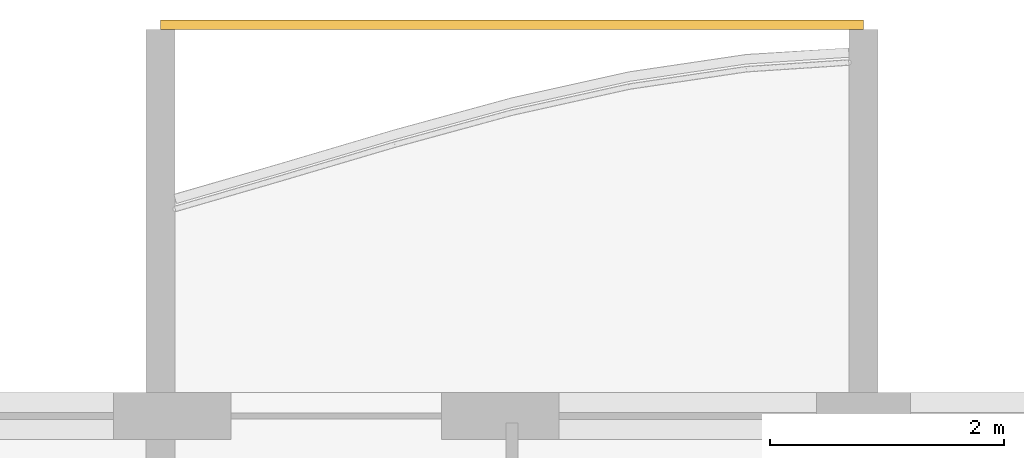
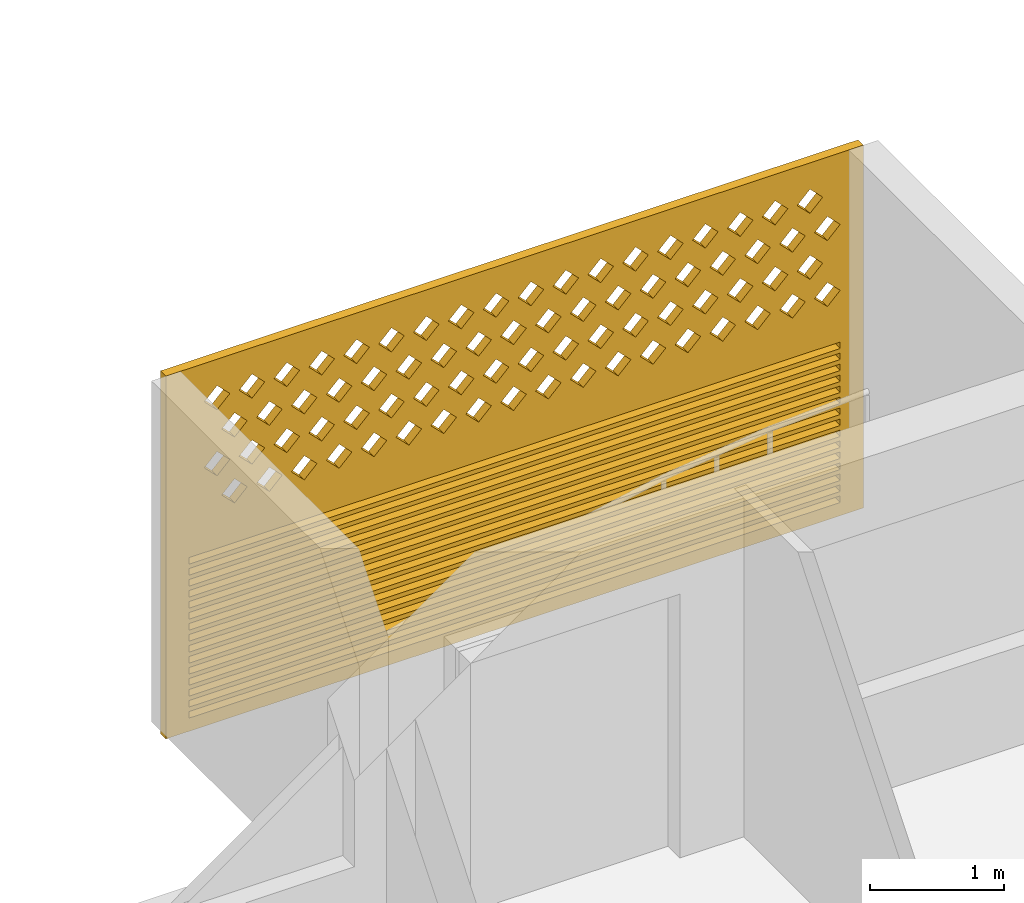
# One storey, part 23 of 27: 1 covering.
"""IFC4 building model written with IfcOpenShell, lengths in metres."""

import ifcopenshell
import ifcopenshell.guid

model = None  # the IFC model being written
_history = None  # IfcOwnerHistory: only IFC2X3 demands one
_inside = {}  # id of a spatial element -> (the spatial element, [elements in it])
_under = {}  # id of a project, library or spatial element -> (it, [spatial elements below it])
_declared = {}  # id of a project -> (the project, [libraries it declares])
_typed = {}  # id of a type object -> (the type object, [elements of that type])
_made_of = {}  # id of a material, layer set ... -> (it, [elements and type objects made of it])


def new_model(schema):
    """Start an empty IFC model of exactly this schema.

    Asked for "IFC4X3", IfcOpenShell would pick the latest addendum, in which some entities
    have other attributes; the version numbers below select the first issue.
    IFC2X3 requires an IfcOwnerHistory on every rooted entity: one is made here for all.
    """
    global model, _history
    if schema == "IFC4X3":
        model = ifcopenshell.file(schema_version=(4, 3, 0, 0))
    else:
        model = ifcopenshell.file(schema=schema)
    _inside.clear()
    _under.clear()
    _declared.clear()
    _typed.clear()
    _made_of.clear()
    _history = None
    if model.schema == "IFC2X3":
        org = make("IfcOrganization", Name="unknown")
        user = make(
            "IfcPersonAndOrganization",
            ThePerson=make("IfcPerson", FamilyName="unknown"),
            TheOrganization=org,
        )
        app = make(
            "IfcApplication",
            ApplicationDeveloper=org,
            Version="unknown",
            ApplicationFullName="unknown",
            ApplicationIdentifier="unknown",
        )
        _history = make(
            "IfcOwnerHistory",
            OwningUser=user,
            OwningApplication=app,
            ChangeAction="ADDED",
            CreationDate=0,
        )
    return model


def make(cls, **values):
    """One entity of the class cls with the attributes given. An attribute that is None is left unset."""
    return model.create_entity(
        cls, **{name: value for name, value in values.items() if value is not None}
    )


def rooted(cls, **values):
    """An entity with a GlobalId (a new one), such as an element, a storey or a relation."""
    return make(cls, GlobalId=ifcopenshell.guid.new(), OwnerHistory=_history, **values)


def si_unit(unit_type, name, prefix=None):
    """IfcSIUnit, for example si_unit("LENGTHUNIT", "METRE", prefix="MILLI")."""
    return make("IfcSIUnit", UnitType=unit_type, Prefix=prefix, Name=name)


def assignment(units):
    """IfcUnitAssignment: the units of a project."""
    return None if units is None else make("IfcUnitAssignment", Units=units)


def point(xyz):
    """IfcCartesianPoint."""
    return None if xyz is None else make("IfcCartesianPoint", Coordinates=xyz)


def direction(xyz):
    """IfcDirection."""
    return None if xyz is None else make("IfcDirection", DirectionRatios=xyz)


def frame(location, z_axis=None, x_axis=None):
    """IfcAxis2Placement3D, a coordinate frame: its origin and axes. An axis left out is left unset."""
    return make(
        "IfcAxis2Placement3D",
        Location=point(location),
        Axis=direction(z_axis),
        RefDirection=direction(x_axis),
    )


def origin():
    """The frame at (0, 0, 0) with its axes left unset."""
    return frame((0.0, 0.0, 0.0))


def place(relative_to, where):
    """IfcLocalPlacement: puts the frame where relative to a parent placement (None: the world)."""
    return make(
        "IfcLocalPlacement", PlacementRelTo=relative_to, RelativePlacement=where
    )


def context(
    kind, dimensions, precision=None, world=None, true_north=None, identifier=None
):
    """IfcGeometricRepresentationContext, for example the 3D "Model" context."""
    return make(
        "IfcGeometricRepresentationContext",
        ContextIdentifier=identifier,
        ContextType=kind,
        CoordinateSpaceDimension=dimensions,
        Precision=precision,
        WorldCoordinateSystem=world,
        TrueNorth=true_north,
    )


def subcontext(parent, identifier, kind, view, scale=None):
    """IfcGeometricRepresentationSubContext, for example "Body" below "Model"."""
    return make(
        "IfcGeometricRepresentationSubContext",
        ContextIdentifier=identifier,
        ContextType=kind,
        ParentContext=parent,
        TargetScale=scale,
        TargetView=view,
    )


def project(units=None, contexts=None):
    """IfcProject with its units and contexts."""
    return rooted(
        "IfcProject",
        Name="project",
        RepresentationContexts=contexts,
        UnitsInContext=assignment(units),
    )


def spatial(cls, under=None, at=None, **own):
    """A site, building, storey or space (cls), placed at a placement, below another one or the project."""
    s = rooted(cls, ObjectPlacement=at, **own)
    if under is not None:
        _under.setdefault(under.id(), (under, []))[1].append(s)
    return s


def polyline(points):
    """IfcPolyline through the points."""
    return make("IfcPolyline", Points=[point(p) for p in points])


def outline(outer, holes=None, kind="AREA"):
    """IfcArbitraryClosedProfileDef: a profile drawn as a closed curve; with holes, ...WithVoids."""
    if holes is None:
        return make("IfcArbitraryClosedProfileDef", ProfileType=kind, OuterCurve=outer)
    return make(
        "IfcArbitraryProfileDefWithVoids",
        ProfileType=kind,
        OuterCurve=outer,
        InnerCurves=holes,
    )


def extrude(swept, where, along, depth):
    """IfcExtrudedAreaSolid: the profile swept, set in the frame where, extruded along a direction by depth."""
    return make(
        "IfcExtrudedAreaSolid",
        SweptArea=swept,
        Position=where,
        ExtrudedDirection=direction(along),
        Depth=depth,
    )


def shape(context_of_items, identifier, shape_type, items):
    """IfcShapeRepresentation: the items that make up one representation, for example the "Body"."""
    return make(
        "IfcShapeRepresentation",
        ContextOfItems=context_of_items,
        RepresentationIdentifier=identifier,
        RepresentationType=shape_type,
        Items=items,
    )


def source(mapping_origin, context_of_items, identifier, shape_type, items):
    """IfcRepresentationMap: a shape defined once, which mapped items show again and again."""
    return make(
        "IfcRepresentationMap",
        MappingOrigin=mapping_origin,
        MappedRepresentation=shape(context_of_items, identifier, shape_type, items),
    )


def transform(
    local_origin,
    x_axis=None,
    y_axis=None,
    z_axis=None,
    scale=None,
    scale2=None,
    scale3=None,
    uniform=True,
):
    """IfcCartesianTransformationOperator3D, or its non-uniform kind. x_axis, y_axis, z_axis: its Axis1, 2, 3."""
    if uniform:
        return make(
            "IfcCartesianTransformationOperator3D",
            Axis1=direction(x_axis),
            Axis2=direction(y_axis),
            LocalOrigin=point(local_origin),
            Scale=scale,
            Axis3=direction(z_axis),
        )
    return make(
        "IfcCartesianTransformationOperator3DnonUniform",
        Axis1=direction(x_axis),
        Axis2=direction(y_axis),
        LocalOrigin=point(local_origin),
        Scale=scale,
        Axis3=direction(z_axis),
        Scale2=scale2,
        Scale3=scale3,
    )


def mapped(mapping_source, mapping_target):
    """IfcMappedItem: shows the shape of a source again, moved by a transform."""
    return make(
        "IfcMappedItem", MappingSource=mapping_source, MappingTarget=mapping_target
    )


def material(Name=None, Category=None):
    """IfcMaterial."""
    return make("IfcMaterial", Name=Name, Category=Category)


def material_profile(
    of_material, cross_section, Name=None, Category=None, Priority=None
):
    """IfcMaterialProfile: a cross section and its material."""
    return make(
        "IfcMaterialProfile",
        Name=Name,
        Material=of_material,
        Profile=cross_section,
        Priority=Priority,
        Category=Category,
    )


def profile_set(profiles, Name=None, composite=None):
    """IfcMaterialProfileSet."""
    return make(
        "IfcMaterialProfileSet",
        Name=Name,
        MaterialProfiles=profiles,
        CompositeProfile=composite,
    )


def made_of(thing, what):
    """Note that an element or type object is made of a material, layer set ...; save() writes the relation."""
    if what is not None:
        _made_of.setdefault(what.id(), (what, []))[1].append(thing)
    return thing


def type_object(cls, material=None, **own):
    """A type object (cls), such as IfcWallType, which elements share."""
    return made_of(rooted(cls, **own), material)


def element(
    cls,
    number,
    at=None,
    inside=None,
    cuts=None,
    type_object=None,
    material=None,
    context=None,
    identifier="Body",
    shape_type=None,
    held_by="IfcProductDefinitionShape",
    body=None,
    shapes=None,
    **own,
):
    """One element of the class cls, such as IfcWall. Its Tag is "e" and its number.

    at: its placement. inside: the storey or other place that contains it. cuts: it is an
    opening in that element (IfcRelVoidsElement). A single representation is given by context,
    identifier, shape_type and body (its items); several are given by shapes. held_by: the class
    of the entity that holds the representations. save() writes the other relations.
    """
    e = rooted(cls, Tag="e%d" % number, ObjectPlacement=at, **own)
    if body is not None:
        shapes = [shape(context, identifier, shape_type, body)]
    if shapes is not None:
        e.Representation = make(held_by, Representations=shapes)
    if inside is not None:
        _inside.setdefault(inside.id(), (inside, []))[1].append(e)
    if cuts is not None:
        rooted(
            "IfcRelVoidsElement", RelatingBuildingElement=cuts, RelatedOpeningElement=e
        )
    if type_object is not None:
        _typed.setdefault(type_object.id(), (type_object, []))[1].append(e)
    return made_of(e, material)


def aggregate(whole, parts):
    """IfcRelAggregates: a whole, such as a stair, and the parts it consists of."""
    return rooted("IfcRelAggregates", RelatingObject=whole, RelatedObjects=parts)


def save(model, path):
    """Write the relations noted so far, then the file.

    IfcRelAggregates (storeys below a building ...), IfcRelContainedInSpatialStructure (elements
    in a storey), IfcRelDefinesByType, IfcRelAssociatesMaterial and IfcRelDeclares: one each for
    every whole, place, type object, material and project.
    """
    for whole, parts in _under.values():
        aggregate(whole, parts)
    for where, things in _inside.values():
        rooted(
            "IfcRelContainedInSpatialStructure",
            RelatedElements=things,
            RelatingStructure=where,
        )
    for kind, things in _typed.values():
        rooted("IfcRelDefinesByType", RelatedObjects=things, RelatingType=kind)
    for what, things in _made_of.values():
        rooted("IfcRelAssociatesMaterial", RelatedObjects=things, RelatingMaterial=what)
    for by, libraries in _declared.values():
        rooted("IfcRelDeclares", RelatingContext=by, RelatedDefinitions=libraries)
    model.write(path)


model = new_model("IFC4")

# Units and contexts
model_context = context("Model", 3, precision=1e-05, world=origin(), true_north=direction((0.0, 1.0)))
body_context = subcontext(model_context, "Body", "Model", "MODEL_VIEW")
ifc_project = project(units=[si_unit("LENGTHUNIT", "METRE"), si_unit("AREAUNIT", "SQUARE_METRE"), si_unit("VOLUMEUNIT", "CUBIC_METRE"), si_unit("PLANEANGLEUNIT", "RADIAN"), si_unit("MASSUNIT", "GRAM", prefix="KILO")], contexts=[model_context])

# Site, building, storey
site_placement = place(None, origin())
site = spatial("IfcSite", under=ifc_project, at=site_placement, CompositionType="ELEMENT")
building_placement = place(site_placement, origin())
building = spatial("IfcBuilding", under=site, at=building_placement, Name="Poui Terraces", CompositionType="ELEMENT")
storey_placement = place(building_placement, frame((0.0, 0.0, 191.699951171875)))
storey = spatial("IfcBuildingStorey", under=building, at=storey_placement, Name="L53", CompositionType="ELEMENT", Elevation=191.699951171875)

# Covering
ifc_material = material(Name="Terracotta screen", Category="masonry")
ifc_material_profile = material_profile(ifc_material, outline(polyline([(-3.0, -1.64990234375), (3.0, -1.64990234375), (3.0, 1.64990234375), (-3.0, 1.64990234375), (-3.0, -1.64990234375)]), holes=[polyline([(-2.800048828125, 0.39990234375), (-2.68994140625, 0.2900390625), (-2.580078125, 0.39990234375), (-2.68994140625, 0.510009765625), (-2.800048828125, 0.39990234375)]), polyline([(-2.5, 0.39990234375), (-2.389892578125, 0.2900390625), (-2.280029296875, 0.39990234375), (-2.389892578125, 0.510009765625), (-2.5, 0.39990234375)]), polyline([(-2.199951171875, 0.39990234375), (-2.090087890625, 0.2900390625), (-1.97998046875, 0.39990234375), (-2.090087890625, 0.510009765625), (-2.199951171875, 0.39990234375)]), polyline([(-1.89990234375, 0.39990234375), (-1.7900390625, 0.2900390625), (-1.679931640625, 0.39990234375), (-1.7900390625, 0.510009765625), (-1.89990234375, 0.39990234375)]), polyline([(-1.60009765625, 0.39990234375), (-1.489990234375, 0.2900390625), (-1.3798828125, 0.39990234375), (-1.489990234375, 0.510009765625), (-1.60009765625, 0.39990234375)]), polyline([(-1.300048828125, 0.39990234375), (-1.18994140625, 0.2900390625), (-1.080078125, 0.39990234375), (-1.18994140625, 0.510009765625), (-1.300048828125, 0.39990234375)]), polyline([(-1.0, 0.39990234375), (-0.889892578125, 0.2900390625), (-0.780029296875, 0.39990234375), (-0.889892578125, 0.510009765625), (-1.0, 0.39990234375)]), polyline([(-0.699951171875, 0.39990234375), (-0.590087890625, 0.2900390625), (-0.47998046875, 0.39990234375), (-0.590087890625, 0.510009765625), (-0.699951171875, 0.39990234375)]), polyline([(-0.39990234375, 0.39990234375), (-0.2900390625, 0.2900390625), (-0.179931640625, 0.39990234375), (-0.2900390625, 0.510009765625), (-0.39990234375, 0.39990234375)]), polyline([(-0.10009765625, 0.39990234375), (0.010009765625, 0.2900390625), (0.1201171875, 0.39990234375), (0.010009765625, 0.510009765625), (-0.10009765625, 0.39990234375)]), polyline([(0.199951171875, 0.39990234375), (0.31005859375, 0.2900390625), (0.419921875, 0.39990234375), (0.31005859375, 0.510009765625), (0.199951171875, 0.39990234375)]), polyline([(0.5, 0.39990234375), (0.610107421875, 0.2900390625), (0.719970703125, 0.39990234375), (0.610107421875, 0.510009765625), (0.5, 0.39990234375)]), polyline([(0.800048828125, 0.39990234375), (0.909912109375, 0.2900390625), (1.02001953125, 0.39990234375), (0.909912109375, 0.510009765625), (0.800048828125, 0.39990234375)]), polyline([(1.10009765625, 0.39990234375), (1.2099609375, 0.2900390625), (1.320068359375, 0.39990234375), (1.2099609375, 0.510009765625), (1.10009765625, 0.39990234375)]), polyline([(1.39990234375, 0.39990234375), (1.510009765625, 0.2900390625), (1.6201171875, 0.39990234375), (1.510009765625, 0.510009765625), (1.39990234375, 0.39990234375)]), polyline([(1.699951171875, 0.39990234375), (1.81005859375, 0.2900390625), (1.919921875, 0.39990234375), (1.81005859375, 0.510009765625), (1.699951171875, 0.39990234375)]), polyline([(2.0, 0.39990234375), (2.110107421875, 0.2900390625), (2.219970703125, 0.39990234375), (2.110107421875, 0.510009765625), (2.0, 0.39990234375)]), polyline([(2.300048828125, 0.39990234375), (2.409912109375, 0.2900390625), (2.52001953125, 0.39990234375), (2.409912109375, 0.510009765625), (2.300048828125, 0.39990234375)]), polyline([(-2.64990234375, 0.699951171875), (-2.5400390625, 0.590087890625), (-2.429931640625, 0.699951171875), (-2.5400390625, 0.81005859375), (-2.64990234375, 0.699951171875)]), polyline([(-2.35009765625, 0.699951171875), (-2.239990234375, 0.590087890625), (-2.1298828125, 0.699951171875), (-2.239990234375, 0.81005859375), (-2.35009765625, 0.699951171875)]), polyline([(-2.050048828125, 0.699951171875), (-1.93994140625, 0.590087890625), (-1.830078125, 0.699951171875), (-1.93994140625, 0.81005859375), (-2.050048828125, 0.699951171875)]), polyline([(-1.75, 0.699951171875), (-1.639892578125, 0.590087890625), (-1.530029296875, 0.699951171875), (-1.639892578125, 0.81005859375), (-1.75, 0.699951171875)]), polyline([(-1.449951171875, 0.699951171875), (-1.340087890625, 0.590087890625), (-1.22998046875, 0.699951171875), (-1.340087890625, 0.81005859375), (-1.449951171875, 0.699951171875)]), polyline([(-1.14990234375, 0.699951171875), (-1.0400390625, 0.590087890625), (-0.929931640625, 0.699951171875), (-1.0400390625, 0.81005859375), (-1.14990234375, 0.699951171875)]), polyline([(-0.85009765625, 0.699951171875), (-0.739990234375, 0.590087890625), (-0.6298828125, 0.699951171875), (-0.739990234375, 0.81005859375), (-0.85009765625, 0.699951171875)]), polyline([(-0.550048828125, 0.699951171875), (-0.43994140625, 0.590087890625), (-0.330078125, 0.699951171875), (-0.43994140625, 0.81005859375), (-0.550048828125, 0.699951171875)]), polyline([(-0.25, 0.699951171875), (-0.139892578125, 0.590087890625), (-0.030029296875, 0.699951171875), (-0.139892578125, 0.81005859375), (-0.25, 0.699951171875)]), polyline([(0.050048828125, 0.699951171875), (0.159912109375, 0.590087890625), (0.27001953125, 0.699951171875), (0.159912109375, 0.81005859375), (0.050048828125, 0.699951171875)]), polyline([(0.35009765625, 0.699951171875), (0.4599609375, 0.590087890625), (0.570068359375, 0.699951171875), (0.4599609375, 0.81005859375), (0.35009765625, 0.699951171875)]), polyline([(0.64990234375, 0.699951171875), (0.760009765625, 0.590087890625), (0.8701171875, 0.699951171875), (0.760009765625, 0.81005859375), (0.64990234375, 0.699951171875)]), polyline([(0.949951171875, 0.699951171875), (1.06005859375, 0.590087890625), (1.169921875, 0.699951171875), (1.06005859375, 0.81005859375), (0.949951171875, 0.699951171875)]), polyline([(1.25, 0.699951171875), (1.360107421875, 0.590087890625), (1.469970703125, 0.699951171875), (1.360107421875, 0.81005859375), (1.25, 0.699951171875)]), polyline([(1.550048828125, 0.699951171875), (1.659912109375, 0.590087890625), (1.77001953125, 0.699951171875), (1.659912109375, 0.81005859375), (1.550048828125, 0.699951171875)]), polyline([(1.85009765625, 0.699951171875), (1.9599609375, 0.590087890625), (2.070068359375, 0.699951171875), (1.9599609375, 0.81005859375), (1.85009765625, 0.699951171875)]), polyline([(2.14990234375, 0.699951171875), (2.260009765625, 0.590087890625), (2.3701171875, 0.699951171875), (2.260009765625, 0.81005859375), (2.14990234375, 0.699951171875)]), polyline([(2.449951171875, 0.699951171875), (2.56005859375, 0.590087890625), (2.669921875, 0.699951171875), (2.56005859375, 0.81005859375), (2.449951171875, 0.699951171875)]), polyline([(-2.800048828125, 1.0), (-2.68994140625, 0.889892578125), (-2.580078125, 1.0), (-2.68994140625, 1.110107421875), (-2.800048828125, 1.0)]), polyline([(-2.5, 1.0), (-2.389892578125, 0.889892578125), (-2.280029296875, 1.0), (-2.389892578125, 1.110107421875), (-2.5, 1.0)]), polyline([(-2.199951171875, 1.0), (-2.090087890625, 0.889892578125), (-1.97998046875, 1.0), (-2.090087890625, 1.110107421875), (-2.199951171875, 1.0)]), polyline([(-1.89990234375, 1.0), (-1.7900390625, 0.889892578125), (-1.679931640625, 1.0), (-1.7900390625, 1.110107421875), (-1.89990234375, 1.0)]), polyline([(-1.60009765625, 1.0), (-1.489990234375, 0.889892578125), (-1.3798828125, 1.0), (-1.489990234375, 1.110107421875), (-1.60009765625, 1.0)]), polyline([(-1.300048828125, 1.0), (-1.18994140625, 0.889892578125), (-1.080078125, 1.0), (-1.18994140625, 1.110107421875), (-1.300048828125, 1.0)]), polyline([(-1.0, 1.0), (-0.889892578125, 0.889892578125), (-0.780029296875, 1.0), (-0.889892578125, 1.110107421875), (-1.0, 1.0)]), polyline([(-0.699951171875, 1.0), (-0.590087890625, 0.889892578125), (-0.47998046875, 1.0), (-0.590087890625, 1.110107421875), (-0.699951171875, 1.0)]), polyline([(-0.39990234375, 1.0), (-0.2900390625, 0.889892578125), (-0.179931640625, 1.0), (-0.2900390625, 1.110107421875), (-0.39990234375, 1.0)]), polyline([(-0.10009765625, 1.0), (0.010009765625, 0.889892578125), (0.1201171875, 1.0), (0.010009765625, 1.110107421875), (-0.10009765625, 1.0)]), polyline([(0.199951171875, 1.0), (0.31005859375, 0.889892578125), (0.419921875, 1.0), (0.31005859375, 1.110107421875), (0.199951171875, 1.0)]), polyline([(0.5, 1.0), (0.610107421875, 0.889892578125), (0.719970703125, 1.0), (0.610107421875, 1.110107421875), (0.5, 1.0)]), polyline([(0.800048828125, 1.0), (0.909912109375, 0.889892578125), (1.02001953125, 1.0), (0.909912109375, 1.110107421875), (0.800048828125, 1.0)]), polyline([(1.10009765625, 1.0), (1.2099609375, 0.889892578125), (1.320068359375, 1.0), (1.2099609375, 1.110107421875), (1.10009765625, 1.0)]), polyline([(1.39990234375, 1.0), (1.510009765625, 0.889892578125), (1.6201171875, 1.0), (1.510009765625, 1.110107421875), (1.39990234375, 1.0)]), polyline([(1.699951171875, 1.0), (1.81005859375, 0.889892578125), (1.919921875, 1.0), (1.81005859375, 1.110107421875), (1.699951171875, 1.0)]), polyline([(2.0, 1.0), (2.110107421875, 0.889892578125), (2.219970703125, 1.0), (2.110107421875, 1.110107421875), (2.0, 1.0)]), polyline([(2.300048828125, 1.0), (2.409912109375, 0.889892578125), (2.52001953125, 1.0), (2.409912109375, 1.110107421875), (2.300048828125, 1.0)]), polyline([(-2.64990234375, 1.300048828125), (-2.5400390625, 1.18994140625), (-2.429931640625, 1.300048828125), (-2.5400390625, 1.409912109375), (-2.64990234375, 1.300048828125)]), polyline([(-2.35009765625, 1.300048828125), (-2.239990234375, 1.18994140625), (-2.1298828125, 1.300048828125), (-2.239990234375, 1.409912109375), (-2.35009765625, 1.300048828125)]), polyline([(-2.050048828125, 1.300048828125), (-1.93994140625, 1.18994140625), (-1.830078125, 1.300048828125), (-1.93994140625, 1.409912109375), (-2.050048828125, 1.300048828125)]), polyline([(-1.75, 1.300048828125), (-1.639892578125, 1.18994140625), (-1.530029296875, 1.300048828125), (-1.639892578125, 1.409912109375), (-1.75, 1.300048828125)]), polyline([(-1.449951171875, 1.300048828125), (-1.340087890625, 1.18994140625), (-1.22998046875, 1.300048828125), (-1.340087890625, 1.409912109375), (-1.449951171875, 1.300048828125)]), polyline([(-1.14990234375, 1.300048828125), (-1.0400390625, 1.18994140625), (-0.929931640625, 1.300048828125), (-1.0400390625, 1.409912109375), (-1.14990234375, 1.300048828125)]), polyline([(-0.85009765625, 1.300048828125), (-0.739990234375, 1.18994140625), (-0.6298828125, 1.300048828125), (-0.739990234375, 1.409912109375), (-0.85009765625, 1.300048828125)]), polyline([(-0.550048828125, 1.300048828125), (-0.43994140625, 1.18994140625), (-0.330078125, 1.300048828125), (-0.43994140625, 1.409912109375), (-0.550048828125, 1.300048828125)]), polyline([(-0.25, 1.300048828125), (-0.139892578125, 1.18994140625), (-0.030029296875, 1.300048828125), (-0.139892578125, 1.409912109375), (-0.25, 1.300048828125)]), polyline([(0.050048828125, 1.300048828125), (0.159912109375, 1.18994140625), (0.27001953125, 1.300048828125), (0.159912109375, 1.409912109375), (0.050048828125, 1.300048828125)]), polyline([(0.35009765625, 1.300048828125), (0.4599609375, 1.18994140625), (0.570068359375, 1.300048828125), (0.4599609375, 1.409912109375), (0.35009765625, 1.300048828125)]), polyline([(0.64990234375, 1.300048828125), (0.760009765625, 1.18994140625), (0.8701171875, 1.300048828125), (0.760009765625, 1.409912109375), (0.64990234375, 1.300048828125)]), polyline([(0.949951171875, 1.300048828125), (1.06005859375, 1.18994140625), (1.169921875, 1.300048828125), (1.06005859375, 1.409912109375), (0.949951171875, 1.300048828125)]), polyline([(1.25, 1.300048828125), (1.360107421875, 1.18994140625), (1.469970703125, 1.300048828125), (1.360107421875, 1.409912109375), (1.25, 1.300048828125)]), polyline([(1.550048828125, 1.300048828125), (1.659912109375, 1.18994140625), (1.77001953125, 1.300048828125), (1.659912109375, 1.409912109375), (1.550048828125, 1.300048828125)]), polyline([(1.85009765625, 1.300048828125), (1.9599609375, 1.18994140625), (2.070068359375, 1.300048828125), (1.9599609375, 1.409912109375), (1.85009765625, 1.300048828125)]), polyline([(2.14990234375, 1.300048828125), (2.260009765625, 1.18994140625), (2.3701171875, 1.300048828125), (2.260009765625, 1.409912109375), (2.14990234375, 1.300048828125)]), polyline([(2.449951171875, 1.300048828125), (2.56005859375, 1.18994140625), (2.669921875, 1.300048828125), (2.56005859375, 1.409912109375), (2.449951171875, 1.300048828125)]), polyline([(-2.800048828125, -1.530029296875), (2.800048828125, -1.530029296875), (2.800048828125, -1.469970703125), (-2.800048828125, -1.469970703125), (-2.800048828125, -1.530029296875)]), polyline([(-2.800048828125, -1.429931640625), (2.800048828125, -1.429931640625), (2.800048828125, -1.3701171875), (-2.800048828125, -1.3701171875), (-2.800048828125, -1.429931640625)]), polyline([(-2.800048828125, -1.330078125), (2.800048828125, -1.330078125), (2.800048828125, -1.27001953125), (-2.800048828125, -1.27001953125), (-2.800048828125, -1.330078125)]), polyline([(-2.800048828125, -1.22998046875), (2.800048828125, -1.22998046875), (2.800048828125, -1.169921875), (-2.800048828125, -1.169921875), (-2.800048828125, -1.22998046875)]), polyline([(-2.800048828125, -1.1298828125), (2.800048828125, -1.1298828125), (2.800048828125, -1.070068359375), (-2.800048828125, -1.070068359375), (-2.800048828125, -1.1298828125)]), polyline([(-2.800048828125, -1.030029296875), (2.800048828125, -1.030029296875), (2.800048828125, -0.969970703125), (-2.800048828125, -0.969970703125), (-2.800048828125, -1.030029296875)]), polyline([(-2.800048828125, -0.929931640625), (2.800048828125, -0.929931640625), (2.800048828125, -0.8701171875), (-2.800048828125, -0.8701171875), (-2.800048828125, -0.929931640625)]), polyline([(-2.800048828125, -0.830078125), (2.800048828125, -0.830078125), (2.800048828125, -0.77001953125), (-2.800048828125, -0.77001953125), (-2.800048828125, -0.830078125)]), polyline([(-2.800048828125, -0.72998046875), (2.800048828125, -0.72998046875), (2.800048828125, -0.669921875), (-2.800048828125, -0.669921875), (-2.800048828125, -0.72998046875)]), polyline([(-2.800048828125, -0.6298828125), (2.800048828125, -0.6298828125), (2.800048828125, -0.570068359375), (-2.800048828125, -0.570068359375), (-2.800048828125, -0.6298828125)]), polyline([(-2.800048828125, -0.530029296875), (2.800048828125, -0.530029296875), (2.800048828125, -0.469970703125), (-2.800048828125, -0.469970703125), (-2.800048828125, -0.530029296875)]), polyline([(-2.800048828125, -0.429931640625), (2.800048828125, -0.429931640625), (2.800048828125, -0.3701171875), (-2.800048828125, -0.3701171875), (-2.800048828125, -0.429931640625)]), polyline([(-2.800048828125, -0.330078125), (2.800048828125, -0.330078125), (2.800048828125, -0.27001953125), (-2.800048828125, -0.27001953125), (-2.800048828125, -0.330078125)]), polyline([(-2.800048828125, -0.22998046875), (2.800048828125, -0.22998046875), (2.800048828125, -0.169921875), (-2.800048828125, -0.169921875), (-2.800048828125, -0.22998046875)]), polyline([(-2.800048828125, -0.1298828125), (2.800048828125, -0.1298828125), (2.800048828125, -0.070068359375), (-2.800048828125, -0.070068359375), (-2.800048828125, -0.1298828125)])]), Name="TERRACOTTA SCREEN AND JALOUSIE LOUVRE 6000X3300")
ifc_profile_set = profile_set([ifc_material_profile], Name="Terracotta screen")
covering_type = type_object("IfcCoveringType", Name="TERRACOTTA SCREEN AND JALOUSIE LOUVRE 6000X3300", PredefinedType="CLADDING", material=ifc_profile_set)
shared_shape = source(origin(), body_context, "Body", "SweptSolid", [
    extrude(outline(polyline([(-3.0, -1.64990234375), (3.0, -1.64990234375), (3.0, 1.64990234375), (-3.0, 1.64990234375), (-3.0, -1.64990234375)]), holes=[polyline([(-2.800048828125, 0.39990234375), (-2.68994140625, 0.2900390625), (-2.580078125, 0.39990234375), (-2.68994140625, 0.510009765625), (-2.800048828125, 0.39990234375)]), polyline([(-2.5, 0.39990234375), (-2.389892578125, 0.2900390625), (-2.280029296875, 0.39990234375), (-2.389892578125, 0.510009765625), (-2.5, 0.39990234375)]), polyline([(-2.199951171875, 0.39990234375), (-2.090087890625, 0.2900390625), (-1.97998046875, 0.39990234375), (-2.090087890625, 0.510009765625), (-2.199951171875, 0.39990234375)]), polyline([(-1.89990234375, 0.39990234375), (-1.7900390625, 0.2900390625), (-1.679931640625, 0.39990234375), (-1.7900390625, 0.510009765625), (-1.89990234375, 0.39990234375)]), polyline([(-1.60009765625, 0.39990234375), (-1.489990234375, 0.2900390625), (-1.3798828125, 0.39990234375), (-1.489990234375, 0.510009765625), (-1.60009765625, 0.39990234375)]), polyline([(-1.300048828125, 0.39990234375), (-1.18994140625, 0.2900390625), (-1.080078125, 0.39990234375), (-1.18994140625, 0.510009765625), (-1.300048828125, 0.39990234375)]), polyline([(-1.0, 0.39990234375), (-0.889892578125, 0.2900390625), (-0.780029296875, 0.39990234375), (-0.889892578125, 0.510009765625), (-1.0, 0.39990234375)]), polyline([(-0.699951171875, 0.39990234375), (-0.590087890625, 0.2900390625), (-0.47998046875, 0.39990234375), (-0.590087890625, 0.510009765625), (-0.699951171875, 0.39990234375)]), polyline([(-0.39990234375, 0.39990234375), (-0.2900390625, 0.2900390625), (-0.179931640625, 0.39990234375), (-0.2900390625, 0.510009765625), (-0.39990234375, 0.39990234375)]), polyline([(-0.10009765625, 0.39990234375), (0.010009765625, 0.2900390625), (0.1201171875, 0.39990234375), (0.010009765625, 0.510009765625), (-0.10009765625, 0.39990234375)]), polyline([(0.199951171875, 0.39990234375), (0.31005859375, 0.2900390625), (0.419921875, 0.39990234375), (0.31005859375, 0.510009765625), (0.199951171875, 0.39990234375)]), polyline([(0.5, 0.39990234375), (0.610107421875, 0.2900390625), (0.719970703125, 0.39990234375), (0.610107421875, 0.510009765625), (0.5, 0.39990234375)]), polyline([(0.800048828125, 0.39990234375), (0.909912109375, 0.2900390625), (1.02001953125, 0.39990234375), (0.909912109375, 0.510009765625), (0.800048828125, 0.39990234375)]), polyline([(1.10009765625, 0.39990234375), (1.2099609375, 0.2900390625), (1.320068359375, 0.39990234375), (1.2099609375, 0.510009765625), (1.10009765625, 0.39990234375)]), polyline([(1.39990234375, 0.39990234375), (1.510009765625, 0.2900390625), (1.6201171875, 0.39990234375), (1.510009765625, 0.510009765625), (1.39990234375, 0.39990234375)]), polyline([(1.699951171875, 0.39990234375), (1.81005859375, 0.2900390625), (1.919921875, 0.39990234375), (1.81005859375, 0.510009765625), (1.699951171875, 0.39990234375)]), polyline([(2.0, 0.39990234375), (2.110107421875, 0.2900390625), (2.219970703125, 0.39990234375), (2.110107421875, 0.510009765625), (2.0, 0.39990234375)]), polyline([(2.300048828125, 0.39990234375), (2.409912109375, 0.2900390625), (2.52001953125, 0.39990234375), (2.409912109375, 0.510009765625), (2.300048828125, 0.39990234375)]), polyline([(-2.64990234375, 0.699951171875), (-2.5400390625, 0.590087890625), (-2.429931640625, 0.699951171875), (-2.5400390625, 0.81005859375), (-2.64990234375, 0.699951171875)]), polyline([(-2.35009765625, 0.699951171875), (-2.239990234375, 0.590087890625), (-2.1298828125, 0.699951171875), (-2.239990234375, 0.81005859375), (-2.35009765625, 0.699951171875)]), polyline([(-2.050048828125, 0.699951171875), (-1.93994140625, 0.590087890625), (-1.830078125, 0.699951171875), (-1.93994140625, 0.81005859375), (-2.050048828125, 0.699951171875)]), polyline([(-1.75, 0.699951171875), (-1.639892578125, 0.590087890625), (-1.530029296875, 0.699951171875), (-1.639892578125, 0.81005859375), (-1.75, 0.699951171875)]), polyline([(-1.449951171875, 0.699951171875), (-1.340087890625, 0.590087890625), (-1.22998046875, 0.699951171875), (-1.340087890625, 0.81005859375), (-1.449951171875, 0.699951171875)]), polyline([(-1.14990234375, 0.699951171875), (-1.0400390625, 0.590087890625), (-0.929931640625, 0.699951171875), (-1.0400390625, 0.81005859375), (-1.14990234375, 0.699951171875)]), polyline([(-0.85009765625, 0.699951171875), (-0.739990234375, 0.590087890625), (-0.6298828125, 0.699951171875), (-0.739990234375, 0.81005859375), (-0.85009765625, 0.699951171875)]), polyline([(-0.550048828125, 0.699951171875), (-0.43994140625, 0.590087890625), (-0.330078125, 0.699951171875), (-0.43994140625, 0.81005859375), (-0.550048828125, 0.699951171875)]), polyline([(-0.25, 0.699951171875), (-0.139892578125, 0.590087890625), (-0.030029296875, 0.699951171875), (-0.139892578125, 0.81005859375), (-0.25, 0.699951171875)]), polyline([(0.050048828125, 0.699951171875), (0.159912109375, 0.590087890625), (0.27001953125, 0.699951171875), (0.159912109375, 0.81005859375), (0.050048828125, 0.699951171875)]), polyline([(0.35009765625, 0.699951171875), (0.4599609375, 0.590087890625), (0.570068359375, 0.699951171875), (0.4599609375, 0.81005859375), (0.35009765625, 0.699951171875)]), polyline([(0.64990234375, 0.699951171875), (0.760009765625, 0.590087890625), (0.8701171875, 0.699951171875), (0.760009765625, 0.81005859375), (0.64990234375, 0.699951171875)]), polyline([(0.949951171875, 0.699951171875), (1.06005859375, 0.590087890625), (1.169921875, 0.699951171875), (1.06005859375, 0.81005859375), (0.949951171875, 0.699951171875)]), polyline([(1.25, 0.699951171875), (1.360107421875, 0.590087890625), (1.469970703125, 0.699951171875), (1.360107421875, 0.81005859375), (1.25, 0.699951171875)]), polyline([(1.550048828125, 0.699951171875), (1.659912109375, 0.590087890625), (1.77001953125, 0.699951171875), (1.659912109375, 0.81005859375), (1.550048828125, 0.699951171875)]), polyline([(1.85009765625, 0.699951171875), (1.9599609375, 0.590087890625), (2.070068359375, 0.699951171875), (1.9599609375, 0.81005859375), (1.85009765625, 0.699951171875)]), polyline([(2.14990234375, 0.699951171875), (2.260009765625, 0.590087890625), (2.3701171875, 0.699951171875), (2.260009765625, 0.81005859375), (2.14990234375, 0.699951171875)]), polyline([(2.449951171875, 0.699951171875), (2.56005859375, 0.590087890625), (2.669921875, 0.699951171875), (2.56005859375, 0.81005859375), (2.449951171875, 0.699951171875)]), polyline([(-2.800048828125, 1.0), (-2.68994140625, 0.889892578125), (-2.580078125, 1.0), (-2.68994140625, 1.110107421875), (-2.800048828125, 1.0)]), polyline([(-2.5, 1.0), (-2.389892578125, 0.889892578125), (-2.280029296875, 1.0), (-2.389892578125, 1.110107421875), (-2.5, 1.0)]), polyline([(-2.199951171875, 1.0), (-2.090087890625, 0.889892578125), (-1.97998046875, 1.0), (-2.090087890625, 1.110107421875), (-2.199951171875, 1.0)]), polyline([(-1.89990234375, 1.0), (-1.7900390625, 0.889892578125), (-1.679931640625, 1.0), (-1.7900390625, 1.110107421875), (-1.89990234375, 1.0)]), polyline([(-1.60009765625, 1.0), (-1.489990234375, 0.889892578125), (-1.3798828125, 1.0), (-1.489990234375, 1.110107421875), (-1.60009765625, 1.0)]), polyline([(-1.300048828125, 1.0), (-1.18994140625, 0.889892578125), (-1.080078125, 1.0), (-1.18994140625, 1.110107421875), (-1.300048828125, 1.0)]), polyline([(-1.0, 1.0), (-0.889892578125, 0.889892578125), (-0.780029296875, 1.0), (-0.889892578125, 1.110107421875), (-1.0, 1.0)]), polyline([(-0.699951171875, 1.0), (-0.590087890625, 0.889892578125), (-0.47998046875, 1.0), (-0.590087890625, 1.110107421875), (-0.699951171875, 1.0)]), polyline([(-0.39990234375, 1.0), (-0.2900390625, 0.889892578125), (-0.179931640625, 1.0), (-0.2900390625, 1.110107421875), (-0.39990234375, 1.0)]), polyline([(-0.10009765625, 1.0), (0.010009765625, 0.889892578125), (0.1201171875, 1.0), (0.010009765625, 1.110107421875), (-0.10009765625, 1.0)]), polyline([(0.199951171875, 1.0), (0.31005859375, 0.889892578125), (0.419921875, 1.0), (0.31005859375, 1.110107421875), (0.199951171875, 1.0)]), polyline([(0.5, 1.0), (0.610107421875, 0.889892578125), (0.719970703125, 1.0), (0.610107421875, 1.110107421875), (0.5, 1.0)]), polyline([(0.800048828125, 1.0), (0.909912109375, 0.889892578125), (1.02001953125, 1.0), (0.909912109375, 1.110107421875), (0.800048828125, 1.0)]), polyline([(1.10009765625, 1.0), (1.2099609375, 0.889892578125), (1.320068359375, 1.0), (1.2099609375, 1.110107421875), (1.10009765625, 1.0)]), polyline([(1.39990234375, 1.0), (1.510009765625, 0.889892578125), (1.6201171875, 1.0), (1.510009765625, 1.110107421875), (1.39990234375, 1.0)]), polyline([(1.699951171875, 1.0), (1.81005859375, 0.889892578125), (1.919921875, 1.0), (1.81005859375, 1.110107421875), (1.699951171875, 1.0)]), polyline([(2.0, 1.0), (2.110107421875, 0.889892578125), (2.219970703125, 1.0), (2.110107421875, 1.110107421875), (2.0, 1.0)]), polyline([(2.300048828125, 1.0), (2.409912109375, 0.889892578125), (2.52001953125, 1.0), (2.409912109375, 1.110107421875), (2.300048828125, 1.0)]), polyline([(-2.64990234375, 1.300048828125), (-2.5400390625, 1.18994140625), (-2.429931640625, 1.300048828125), (-2.5400390625, 1.409912109375), (-2.64990234375, 1.300048828125)]), polyline([(-2.35009765625, 1.300048828125), (-2.239990234375, 1.18994140625), (-2.1298828125, 1.300048828125), (-2.239990234375, 1.409912109375), (-2.35009765625, 1.300048828125)]), polyline([(-2.050048828125, 1.300048828125), (-1.93994140625, 1.18994140625), (-1.830078125, 1.300048828125), (-1.93994140625, 1.409912109375), (-2.050048828125, 1.300048828125)]), polyline([(-1.75, 1.300048828125), (-1.639892578125, 1.18994140625), (-1.530029296875, 1.300048828125), (-1.639892578125, 1.409912109375), (-1.75, 1.300048828125)]), polyline([(-1.449951171875, 1.300048828125), (-1.340087890625, 1.18994140625), (-1.22998046875, 1.300048828125), (-1.340087890625, 1.409912109375), (-1.449951171875, 1.300048828125)]), polyline([(-1.14990234375, 1.300048828125), (-1.0400390625, 1.18994140625), (-0.929931640625, 1.300048828125), (-1.0400390625, 1.409912109375), (-1.14990234375, 1.300048828125)]), polyline([(-0.85009765625, 1.300048828125), (-0.739990234375, 1.18994140625), (-0.6298828125, 1.300048828125), (-0.739990234375, 1.409912109375), (-0.85009765625, 1.300048828125)]), polyline([(-0.550048828125, 1.300048828125), (-0.43994140625, 1.18994140625), (-0.330078125, 1.300048828125), (-0.43994140625, 1.409912109375), (-0.550048828125, 1.300048828125)]), polyline([(-0.25, 1.300048828125), (-0.139892578125, 1.18994140625), (-0.030029296875, 1.300048828125), (-0.139892578125, 1.409912109375), (-0.25, 1.300048828125)]), polyline([(0.050048828125, 1.300048828125), (0.159912109375, 1.18994140625), (0.27001953125, 1.300048828125), (0.159912109375, 1.409912109375), (0.050048828125, 1.300048828125)]), polyline([(0.35009765625, 1.300048828125), (0.4599609375, 1.18994140625), (0.570068359375, 1.300048828125), (0.4599609375, 1.409912109375), (0.35009765625, 1.300048828125)]), polyline([(0.64990234375, 1.300048828125), (0.760009765625, 1.18994140625), (0.8701171875, 1.300048828125), (0.760009765625, 1.409912109375), (0.64990234375, 1.300048828125)]), polyline([(0.949951171875, 1.300048828125), (1.06005859375, 1.18994140625), (1.169921875, 1.300048828125), (1.06005859375, 1.409912109375), (0.949951171875, 1.300048828125)]), polyline([(1.25, 1.300048828125), (1.360107421875, 1.18994140625), (1.469970703125, 1.300048828125), (1.360107421875, 1.409912109375), (1.25, 1.300048828125)]), polyline([(1.550048828125, 1.300048828125), (1.659912109375, 1.18994140625), (1.77001953125, 1.300048828125), (1.659912109375, 1.409912109375), (1.550048828125, 1.300048828125)]), polyline([(1.85009765625, 1.300048828125), (1.9599609375, 1.18994140625), (2.070068359375, 1.300048828125), (1.9599609375, 1.409912109375), (1.85009765625, 1.300048828125)]), polyline([(2.14990234375, 1.300048828125), (2.260009765625, 1.18994140625), (2.3701171875, 1.300048828125), (2.260009765625, 1.409912109375), (2.14990234375, 1.300048828125)]), polyline([(2.449951171875, 1.300048828125), (2.56005859375, 1.18994140625), (2.669921875, 1.300048828125), (2.56005859375, 1.409912109375), (2.449951171875, 1.300048828125)]), polyline([(-2.800048828125, -1.530029296875), (2.800048828125, -1.530029296875), (2.800048828125, -1.469970703125), (-2.800048828125, -1.469970703125), (-2.800048828125, -1.530029296875)]), polyline([(-2.800048828125, -1.429931640625), (2.800048828125, -1.429931640625), (2.800048828125, -1.3701171875), (-2.800048828125, -1.3701171875), (-2.800048828125, -1.429931640625)]), polyline([(-2.800048828125, -1.330078125), (2.800048828125, -1.330078125), (2.800048828125, -1.27001953125), (-2.800048828125, -1.27001953125), (-2.800048828125, -1.330078125)]), polyline([(-2.800048828125, -1.22998046875), (2.800048828125, -1.22998046875), (2.800048828125, -1.169921875), (-2.800048828125, -1.169921875), (-2.800048828125, -1.22998046875)]), polyline([(-2.800048828125, -1.1298828125), (2.800048828125, -1.1298828125), (2.800048828125, -1.070068359375), (-2.800048828125, -1.070068359375), (-2.800048828125, -1.1298828125)]), polyline([(-2.800048828125, -1.030029296875), (2.800048828125, -1.030029296875), (2.800048828125, -0.969970703125), (-2.800048828125, -0.969970703125), (-2.800048828125, -1.030029296875)]), polyline([(-2.800048828125, -0.929931640625), (2.800048828125, -0.929931640625), (2.800048828125, -0.8701171875), (-2.800048828125, -0.8701171875), (-2.800048828125, -0.929931640625)]), polyline([(-2.800048828125, -0.830078125), (2.800048828125, -0.830078125), (2.800048828125, -0.77001953125), (-2.800048828125, -0.77001953125), (-2.800048828125, -0.830078125)]), polyline([(-2.800048828125, -0.72998046875), (2.800048828125, -0.72998046875), (2.800048828125, -0.669921875), (-2.800048828125, -0.669921875), (-2.800048828125, -0.72998046875)]), polyline([(-2.800048828125, -0.6298828125), (2.800048828125, -0.6298828125), (2.800048828125, -0.570068359375), (-2.800048828125, -0.570068359375), (-2.800048828125, -0.6298828125)]), polyline([(-2.800048828125, -0.530029296875), (2.800048828125, -0.530029296875), (2.800048828125, -0.469970703125), (-2.800048828125, -0.469970703125), (-2.800048828125, -0.530029296875)]), polyline([(-2.800048828125, -0.429931640625), (2.800048828125, -0.429931640625), (2.800048828125, -0.3701171875), (-2.800048828125, -0.3701171875), (-2.800048828125, -0.429931640625)]), polyline([(-2.800048828125, -0.330078125), (2.800048828125, -0.330078125), (2.800048828125, -0.27001953125), (-2.800048828125, -0.27001953125), (-2.800048828125, -0.330078125)]), polyline([(-2.800048828125, -0.22998046875), (2.800048828125, -0.22998046875), (2.800048828125, -0.169921875), (-2.800048828125, -0.169921875), (-2.800048828125, -0.22998046875)]), polyline([(-2.800048828125, -0.1298828125), (2.800048828125, -0.1298828125), (2.800048828125, -0.070068359375), (-2.800048828125, -0.070068359375), (-2.800048828125, -0.1298828125)])]), origin(), (0.0, 0.0, 1.0), 0.080078125),
])
covering_placement = place(storey_placement, frame((57.0, 44.5, 1.449951171875), z_axis=(0.0, 1.0, 0.0), x_axis=(-1.0, 0.0, 0.0)))
element("IfcCovering", 1, at=covering_placement, inside=storey, type_object=covering_type, Name="SOLAR SCREEN AND JALOUSIE LOUVRE", PredefinedType="CLADDING", context=body_context, shape_type="MappedRepresentation", body=[
    mapped(shared_shape, transform((0.0, 0.0, 0.0))),
])

save(model, "model.ifc")
